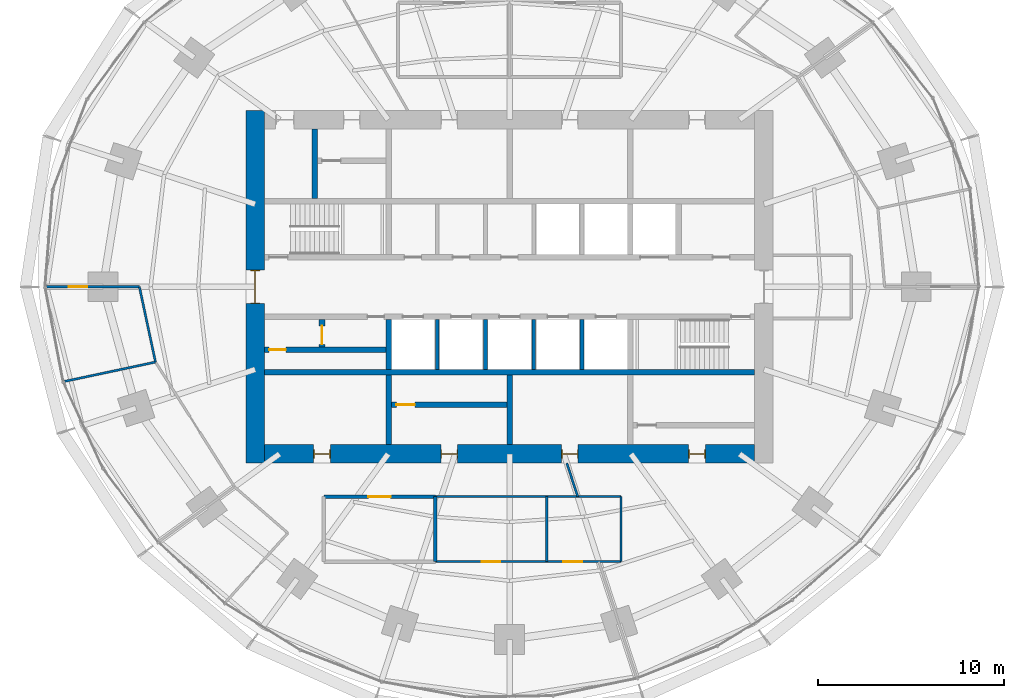
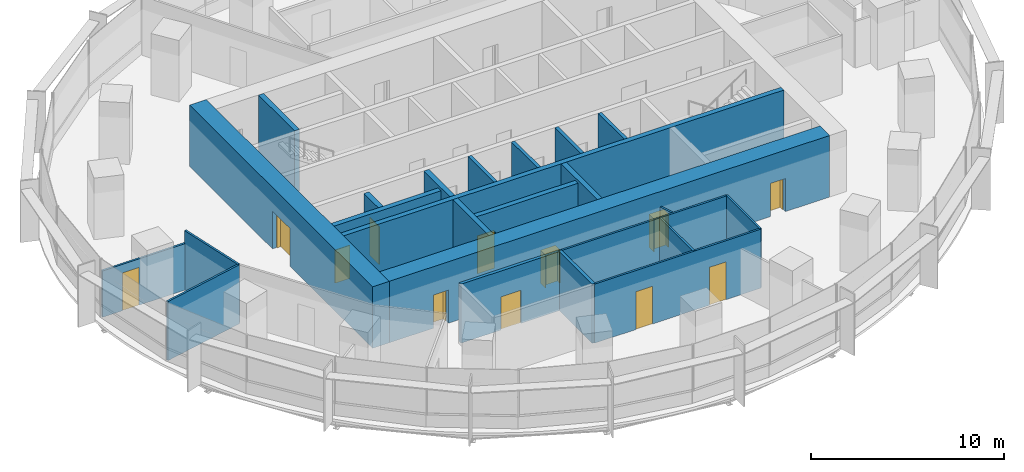
# One storey, part 10 of 14: 24 walls, 12 doors, 12 openings.
"""IFC4 building model written with IfcOpenShell, lengths in metres."""

from ifc_helpers import new_model, si_unit, direction, frame, frame_2d, origin, place, context, subcontext, project, spatial, rectangle, extrude, material, layer, layer_set, type_object, element, fill, save


model = new_model("IFC4")

# Units and contexts
model_context = context("Model", 3, precision=1e-05, world=origin(), true_north=direction((0.0, 1.0)))
body_context = subcontext(model_context, "Body", "Model", "MODEL_VIEW")
ifc_project = project(units=[si_unit("LENGTHUNIT", "METRE"), si_unit("AREAUNIT", "SQUARE_METRE"), si_unit("VOLUMEUNIT", "CUBIC_METRE"), si_unit("PLANEANGLEUNIT", "RADIAN"), si_unit("MASSUNIT", "GRAM", prefix="KILO")], contexts=[model_context])

# Site, building, storey
site_placement = place(None, origin())
site = spatial("IfcSite", under=ifc_project, at=site_placement, CompositionType="ELEMENT")
building_placement = place(site_placement, origin())
building = spatial("IfcBuilding", under=site, at=building_placement, Name="Marramba Exchange Tower", CompositionType="ELEMENT")
storey_placement = place(building_placement, frame((0.0, 0.0, 96.300048828125)))
storey = spatial("IfcBuildingStorey", under=building, at=storey_placement, Name="L22", CompositionType="ELEMENT", Elevation=96.300048828125)

# Walls
ifc_material_1 = material(Name="Concrete N50", Category="concrete")
ifc_layer_1 = layer(ifc_material_1, 0.199951171875)
ifc_layer_set_1 = layer_set([ifc_layer_1], Name="Core shaft wall 200")
wall_type_1 = type_object("IfcWallType", Name="Core shaft wall 200", PredefinedType="SHEAR", material=ifc_layer_set_1)
for number, where, z_axis, x_axis, name in (
    (1, (-3.89990234375, -1.75, 0.0), (0.0, 0.0, 1.0), (0.0, -1.0, 0.0), "Core wall SHS1 L22"),
    (2, (-1.300048828125, -1.75, 0.0), (0.0, 0.0, 1.0), (0.0, -1.0, 0.0), "Core wall SHS2 L22"),
    (3, (1.300048828125, -1.75, 0.0), (0.0, 0.0, 1.0), (0.0, -1.0, 0.0), "Core wall SHS3 L22"),
    (4, (3.89990234375, -1.75, 0.0), (0.0, 0.0, 1.0), (0.0, -1.0, 0.0), "Core wall SHS4 L22"),
):
    element("IfcWall", number, at=place(storey_placement, frame(where, z_axis=z_axis, x_axis=x_axis)), inside=storey, type_object=wall_type_1, Name=name, PredefinedType="SHEAR", context=body_context, shape_type="SweptSolid", body=[
        extrude(rectangle(XDim=2.699951171875, YDim=0.199951171875, at=frame_2d((1.35009765625, 0.0))), origin(), (0.0, 0.0, 1.0), 3.89990234375),
    ])

# Wall, openings, doors
ifc_layer_2 = layer(ifc_material_1, 1.0)
ifc_layer_set_2 = layer_set([ifc_layer_2], Name="Core wall 1000")
wall_type_2 = type_object("IfcWallType", Name="Core wall 1000", PredefinedType="SHEAR", material=ifc_layer_set_2)
wall_1_placement = place(storey_placement, frame((-13.199951171875, -9.0, 0.0), z_axis=(0.0, 0.0, 1.0), x_axis=(1.0, 0.0, 0.0)))
wall_1 = element("IfcWall", 5, at=wall_1_placement, inside=storey, type_object=wall_type_2, Name="Core wall S L22", PredefinedType="SHEAR", context=body_context, shape_type="SweptSolid", body=[
    extrude(rectangle(XDim=26.39990234375, YDim=1.0, at=frame_2d((13.199951171875, 0.0))), origin(), (0.0, 0.0, 1.0), 3.89990234375),
])
opening_1_placement = place(wall_1_placement, frame((2.64990234375, 0.0, 0.0)))
opening_1 = element("IfcOpeningElement", 6, at=opening_1_placement, cuts=wall_1, Name="Opening D5", PredefinedType="OPENING", context=body_context, shape_type="SweptSolid", body=[
    extrude(rectangle(XDim=0.89990234375, YDim=2.10009765625, at=frame_2d((0.449951171875, 1.050048828125))), frame((0.0, 0.510009765625, 0.0), z_axis=(0.0, -1.0, 0.0), x_axis=(1.0, 0.0, 0.0)), (0.0, 0.0, 1.0), 1.02001953125),
])
opening_2_placement = place(wall_1_placement, frame((9.5, 0.0, 0.0)))
opening_2 = element("IfcOpeningElement", 7, at=opening_2_placement, cuts=wall_1, Name="Opening D5", PredefinedType="OPENING", context=body_context, shape_type="SweptSolid", body=[
    extrude(rectangle(XDim=0.89990234375, YDim=2.10009765625, at=frame_2d((0.449951171875, 1.050048828125))), frame((0.0, 0.510009765625, 0.0), z_axis=(0.0, -1.0, 0.0), x_axis=(1.0, 0.0, 0.0)), (0.0, 0.0, 1.0), 1.02001953125),
])
opening_3_placement = place(wall_1_placement, frame((16.0, 0.0, 0.0)))
opening_3 = element("IfcOpeningElement", 8, at=opening_3_placement, cuts=wall_1, Name="Opening D5", PredefinedType="OPENING", context=body_context, shape_type="SweptSolid", body=[
    extrude(rectangle(XDim=0.89990234375, YDim=2.10009765625, at=frame_2d((0.449951171875, 1.050048828125))), frame((0.0, 0.510009765625, 0.0), z_axis=(0.0, -1.0, 0.0), x_axis=(1.0, 0.0, 0.0)), (0.0, 0.0, 1.0), 1.02001953125),
])
opening_4_placement = place(wall_1_placement, frame((22.85009765625, 0.0, 0.0)))
opening_4 = element("IfcOpeningElement", 9, at=opening_4_placement, cuts=wall_1, Name="Opening D5", PredefinedType="OPENING", context=body_context, shape_type="SweptSolid", body=[
    extrude(rectangle(XDim=0.89990234375, YDim=2.10009765625, at=frame_2d((0.449951171875, 1.050048828125))), frame((0.0, 0.510009765625, 0.0), z_axis=(0.0, -1.0, 0.0), x_axis=(1.0, 0.0, 0.0)), (0.0, 0.0, 1.0), 1.02001953125),
])
ifc_material_2 = material(Name="Steel-framed door", Category="steel")
door_type_1 = type_object("IfcDoorType", Name="Service door 900x2100", OperationType="SINGLE_SWING_LEFT", PredefinedType="DOOR", material=ifc_material_2)
door_1_placement = place(opening_1_placement, origin())
door_1 = element("IfcDoor", 10, at=door_1_placement, inside=storey, type_object=door_type_1, Name="D5 ahu L22", OperationType="SINGLE_SWING_LEFT", OverallHeight=2.10009765625, OverallWidth=0.89990234375, PredefinedType="DOOR", context=body_context, shape_type="SweptSolid", body=[
    extrude(rectangle(XDim=0.81982421875, YDim=2.06005859375, at=frame_2d((0.449951171875, 1.030029296875))), frame((0.0, 0.02490234375, 0.0), z_axis=(0.0, -1.0, 0.0), x_axis=(1.0, 0.0, 0.0)), (0.0, 0.0, 1.0), 0.050048828125),
    extrude(rectangle(XDim=0.04, YDim=2.10009765625, at=frame_2d((0.02001953125, 1.050048828125))), frame((0.0, 0.25, 0.0), z_axis=(0.0, -1.0, 0.0), x_axis=(1.0, 0.0, 0.0)), (0.0, 0.0, 1.0), 0.5),
    extrude(rectangle(XDim=0.04, YDim=2.10009765625, at=frame_2d((0.8798828125, 1.050048828125))), frame((0.0, 0.25, 0.0), z_axis=(0.0, -1.0, 0.0), x_axis=(1.0, 0.0, 0.0)), (0.0, 0.0, 1.0), 0.5),
    extrude(rectangle(XDim=0.81982421875, YDim=0.04, at=frame_2d((0.449951171875, 2.080078125))), frame((0.0, 0.25, 0.0), z_axis=(0.0, -1.0, 0.0), x_axis=(1.0, 0.0, 0.0)), (0.0, 0.0, 1.0), 0.5),
])
fill(opening_1, door_1)
door_2_placement = place(opening_2_placement, origin())
door_2 = element("IfcDoor", 11, at=door_2_placement, inside=storey, type_object=door_type_1, Name="D5 store L22", OperationType="SINGLE_SWING_RIGHT", OverallHeight=2.10009765625, OverallWidth=0.89990234375, PredefinedType="DOOR", context=body_context, shape_type="SweptSolid", body=[
    extrude(rectangle(XDim=0.81982421875, YDim=2.06005859375, at=frame_2d((0.449951171875, 1.030029296875))), frame((0.0, 0.02490234375, 0.0), z_axis=(0.0, -1.0, 0.0), x_axis=(1.0, 0.0, 0.0)), (0.0, 0.0, 1.0), 0.050048828125),
    extrude(rectangle(XDim=0.04, YDim=2.10009765625, at=frame_2d((0.02001953125, 1.050048828125))), frame((0.0, 0.25, 0.0), z_axis=(0.0, -1.0, 0.0), x_axis=(1.0, 0.0, 0.0)), (0.0, 0.0, 1.0), 0.5),
    extrude(rectangle(XDim=0.04, YDim=2.10009765625, at=frame_2d((0.8798828125, 1.050048828125))), frame((0.0, 0.25, 0.0), z_axis=(0.0, -1.0, 0.0), x_axis=(1.0, 0.0, 0.0)), (0.0, 0.0, 1.0), 0.5),
    extrude(rectangle(XDim=0.81982421875, YDim=0.04, at=frame_2d((0.449951171875, 2.080078125))), frame((0.0, 0.25, 0.0), z_axis=(0.0, -1.0, 0.0), x_axis=(1.0, 0.0, 0.0)), (0.0, 0.0, 1.0), 0.5),
])
fill(opening_2, door_2)
door_3_placement = place(opening_3_placement, origin())
door_3 = element("IfcDoor", 12, at=door_3_placement, inside=storey, type_object=door_type_1, Name="D5 switch L22", OperationType="SINGLE_SWING_RIGHT", OverallHeight=2.10009765625, OverallWidth=0.89990234375, PredefinedType="DOOR", context=body_context, shape_type="SweptSolid", body=[
    extrude(rectangle(XDim=0.81982421875, YDim=2.06005859375, at=frame_2d((0.449951171875, 1.030029296875))), frame((0.0, 0.02490234375, 0.0), z_axis=(0.0, -1.0, 0.0), x_axis=(1.0, 0.0, 0.0)), (0.0, 0.0, 1.0), 0.050048828125),
    extrude(rectangle(XDim=0.04, YDim=2.10009765625, at=frame_2d((0.02001953125, 1.050048828125))), frame((0.0, 0.25, 0.0), z_axis=(0.0, -1.0, 0.0), x_axis=(1.0, 0.0, 0.0)), (0.0, 0.0, 1.0), 0.5),
    extrude(rectangle(XDim=0.04, YDim=2.10009765625, at=frame_2d((0.8798828125, 1.050048828125))), frame((0.0, 0.25, 0.0), z_axis=(0.0, -1.0, 0.0), x_axis=(1.0, 0.0, 0.0)), (0.0, 0.0, 1.0), 0.5),
    extrude(rectangle(XDim=0.81982421875, YDim=0.04, at=frame_2d((0.449951171875, 2.080078125))), frame((0.0, 0.25, 0.0), z_axis=(0.0, -1.0, 0.0), x_axis=(1.0, 0.0, 0.0)), (0.0, 0.0, 1.0), 0.5),
])
fill(opening_3, door_3)
door_4_placement = place(opening_4_placement, origin())
door_4 = element("IfcDoor", 13, at=door_4_placement, inside=storey, type_object=door_type_1, Name="D5 cstore L22", OperationType="SINGLE_SWING_RIGHT", OverallHeight=2.10009765625, OverallWidth=0.89990234375, PredefinedType="DOOR", context=body_context, shape_type="SweptSolid", body=[
    extrude(rectangle(XDim=0.81982421875, YDim=2.06005859375, at=frame_2d((0.449951171875, 1.030029296875))), frame((0.0, 0.02490234375, 0.0), z_axis=(0.0, -1.0, 0.0), x_axis=(1.0, 0.0, 0.0)), (0.0, 0.0, 1.0), 0.050048828125),
    extrude(rectangle(XDim=0.04, YDim=2.10009765625, at=frame_2d((0.02001953125, 1.050048828125))), frame((0.0, 0.25, 0.0), z_axis=(0.0, -1.0, 0.0), x_axis=(1.0, 0.0, 0.0)), (0.0, 0.0, 1.0), 0.5),
    extrude(rectangle(XDim=0.04, YDim=2.10009765625, at=frame_2d((0.8798828125, 1.050048828125))), frame((0.0, 0.25, 0.0), z_axis=(0.0, -1.0, 0.0), x_axis=(1.0, 0.0, 0.0)), (0.0, 0.0, 1.0), 0.5),
    extrude(rectangle(XDim=0.81982421875, YDim=0.04, at=frame_2d((0.449951171875, 2.080078125))), frame((0.0, 0.25, 0.0), z_axis=(0.0, -1.0, 0.0), x_axis=(1.0, 0.0, 0.0)), (0.0, 0.0, 1.0), 0.5),
])
fill(opening_4, door_4)

# Wall, opening, door
wall_2_placement = place(storey_placement, frame((-13.699951171875, 9.5, 0.0), z_axis=(0.0, 0.0, 1.0), x_axis=(0.0, -1.0, 0.0)))
wall_2 = element("IfcWall", 14, at=wall_2_placement, inside=storey, type_object=wall_type_2, Name="Core wall W L22", PredefinedType="SHEAR", context=body_context, shape_type="SweptSolid", body=[
    extrude(rectangle(XDim=19.0, YDim=1.0, at=frame_2d((9.5, 0.0))), origin(), (0.0, 0.0, 1.0), 3.89990234375),
])
opening_5_placement = place(wall_2_placement, frame((8.60009765625, 0.0, 0.0)))
opening_5 = element("IfcOpeningElement", 15, at=opening_5_placement, cuts=wall_2, Name="Opening D1", PredefinedType="OPENING", context=body_context, shape_type="SweptSolid", body=[
    extrude(rectangle(XDim=1.800048828125, YDim=2.39990234375, at=frame_2d((0.89990234375, 1.199951171875))), frame((0.0, 0.510009765625, 0.0), z_axis=(0.0, -1.0, 0.0), x_axis=(1.0, 0.0, 0.0)), (0.0, 0.0, 1.0), 1.02001953125),
])
door_type_2 = type_object("IfcDoorType", Name="Lobby exit door 1800x2400", OperationType="DOUBLE_DOOR_SINGLE_SWING", PredefinedType="DOOR", material=ifc_material_2)
door_5_placement = place(opening_5_placement, origin())
door_5 = element("IfcDoor", 16, at=door_5_placement, inside=storey, type_object=door_type_2, Name="D1 lobby exit west L22", OperationType="DOUBLE_DOOR_SINGLE_SWING", OverallHeight=2.39990234375, OverallWidth=1.800048828125, PredefinedType="DOOR", context=body_context, shape_type="SweptSolid", body=[
    extrude(rectangle(XDim=1.719970703125, YDim=2.35986328125, at=frame_2d((0.89990234375, 1.179931640625))), frame((0.0, 0.02490234375, 0.0), z_axis=(0.0, -1.0, 0.0), x_axis=(1.0, 0.0, 0.0)), (0.0, 0.0, 1.0), 0.050048828125),
    extrude(rectangle(XDim=0.04, YDim=2.39990234375, at=frame_2d((0.02001953125, 1.199951171875))), frame((0.0, 0.25, 0.0), z_axis=(0.0, -1.0, 0.0), x_axis=(1.0, 0.0, 0.0)), (0.0, 0.0, 1.0), 0.5),
    extrude(rectangle(XDim=0.04, YDim=2.39990234375, at=frame_2d((1.780029296875, 1.199951171875))), frame((0.0, 0.25, 0.0), z_axis=(0.0, -1.0, 0.0), x_axis=(1.0, 0.0, 0.0)), (0.0, 0.0, 1.0), 0.5),
    extrude(rectangle(XDim=1.719970703125, YDim=0.04, at=frame_2d((0.89990234375, 2.3798828125))), frame((0.0, 0.25, 0.0), z_axis=(0.0, -1.0, 0.0), x_axis=(1.0, 0.0, 0.0)), (0.0, 0.0, 1.0), 0.5),
])
fill(opening_5, door_5)

# Walls
ifc_layer_3 = layer(ifc_material_1, 0.300048828125)
ifc_layer_set_3 = layer_set([ifc_layer_3], Name="Core wall 300")
wall_type_3 = type_object("IfcWallType", Name="Core wall 300", PredefinedType="SHEAR", material=ifc_layer_set_3)
wall_3_placement = place(storey_placement, frame((-13.199951171875, -4.60009765625, 0.0), z_axis=(0.0, 0.0, 1.0), x_axis=(1.0, 0.0, 0.0)))
element("IfcWall", 17, at=wall_3_placement, inside=storey, type_object=wall_type_3, Name="Core wall BS L22", PredefinedType="SHEAR", context=body_context, shape_type="SweptSolid", body=[
    extrude(rectangle(XDim=26.39990234375, YDim=0.300048828125, at=frame_2d((13.199951171875, 0.0))), origin(), (0.0, 0.0, 1.0), 3.89990234375),
])
wall_4_placement = place(storey_placement, frame((-6.5, -1.75, 0.0), z_axis=(0.0, 0.0, 1.0), x_axis=(0.0, -1.0, 0.0)))
element("IfcWall", 18, at=wall_4_placement, inside=storey, type_object=wall_type_3, Name="Core wall X0Sa L22", PredefinedType="SHEAR", context=body_context, shape_type="SweptSolid", body=[
    extrude(rectangle(XDim=2.699951171875, YDim=0.300048828125, at=frame_2d((1.35009765625, 0.0))), origin(), (0.0, 0.0, 1.0), 3.89990234375),
])
for number, where, z_axis, x_axis, name in (
    (19, (-6.5, -4.75, 0.0), (0.0, 0.0, 1.0), (0.0, -1.0, 0.0), "Core wall X0Sb L22"),
    (20, (0.0, -4.75, 0.0), (0.0, 0.0, 1.0), (0.0, -1.0, 0.0), "Core wall MS L22"),
    (21, (-10.5, 4.75, 0.0), (0.0, 0.0, 1.0), (0.0, 1.0, 0.0), "Core wall WD L22"),
):
    element("IfcWall", number, at=place(storey_placement, frame(where, z_axis=z_axis, x_axis=x_axis)), inside=storey, type_object=wall_type_3, Name=name, PredefinedType="SHEAR", context=body_context, shape_type="SweptSolid", body=[
        extrude(rectangle(XDim=3.75, YDim=0.300048828125, at=frame_2d((1.875, 0.0))), origin(), (0.0, 0.0, 1.0), 3.89990234375),
    ])

# Wall, opening, door
ifc_material_3 = material(Name="Core-filled concrete blockwork, rendered", Category="masonry")
ifc_layer_4 = layer(ifc_material_3, 0.18994140625)
ifc_layer_set_4 = layer_set([ifc_layer_4], Name="Equipment room wall 190")
wall_type_4 = type_object("IfcWallType", Name="Equipment room wall 190", PredefinedType="SOLIDWALL", material=ifc_layer_set_4)
wall_5_placement = place(storey_placement, frame((-4.0, -11.300048828125, 0.0), z_axis=(0.0, 0.0, 1.0), x_axis=(-1.0, 0.0, 0.0)))
wall_5 = element("IfcWall", 22, at=wall_5_placement, inside=storey, type_object=wall_type_4, Name="Equipment room wall L22 08", PredefinedType="SOLIDWALL", context=body_context, shape_type="SweptSolid", body=[
    extrude(rectangle(XDim=6.0, YDim=0.18994140625, at=frame_2d((3.0, 0.0))), origin(), (0.0, 0.0, 1.0), 3.739990234375),
])
opening_6_placement = place(wall_5_placement, frame((2.39990234375, 0.0, 0.0)))
opening_6 = element("IfcOpeningElement", 23, at=opening_6_placement, cuts=wall_5, Name="Opening D16", PredefinedType="OPENING", context=body_context, shape_type="SweptSolid", body=[
    extrude(rectangle(XDim=1.199951171875, YDim=2.10009765625, at=frame_2d((0.60009765625, 1.050048828125))), frame((0.0, 0.10498046875, 0.0), z_axis=(0.0, -1.0, 0.0), x_axis=(1.0, 0.0, 0.0)), (0.0, 0.0, 1.0), 0.2099609375),
])
door_type_3 = type_object("IfcDoorType", Name="Equipment room door 1200x2100", OperationType="SINGLE_SWING_LEFT", PredefinedType="DOOR", material=ifc_material_2)
door_6_placement = place(opening_6_placement, origin())
door_6 = element("IfcDoor", 24, at=door_6_placement, inside=storey, type_object=door_type_3, Name="D16 Records Store L22", OperationType="SINGLE_SWING_RIGHT", OverallHeight=2.10009765625, OverallWidth=1.199951171875, PredefinedType="DOOR", context=body_context, shape_type="SweptSolid", body=[
    extrude(rectangle(XDim=1.199951171875, YDim=2.10009765625, at=frame_2d((0.60009765625, 1.050048828125))), frame((0.0, 0.02490234375, 0.0), z_axis=(0.0, -1.0, 0.0), x_axis=(1.0, 0.0, 0.0)), (0.0, 0.0, 1.0), 0.050048828125),
])
fill(opening_6, door_6)

# Walls
wall_6_placement = place(storey_placement, frame((-4.0, -11.300048828125, 0.0), z_axis=(0.0, 0.0, 1.0), x_axis=(0.0, -1.0, 0.0)))
element("IfcWall", 25, at=wall_6_placement, inside=storey, type_object=wall_type_4, Name="Equipment room wall L22 10", PredefinedType="SOLIDWALL", context=body_context, shape_type="SweptSolid", body=[
    extrude(rectangle(XDim=3.5, YDim=0.18994140625, at=frame_2d((1.75, 0.0))), origin(), (0.0, 0.0, 1.0), 3.739990234375),
])
ifc_material_4 = material(Name="Plasterboard on steel studs", Category="steel")
ifc_layer_5 = layer(ifc_material_4, 0.1201171875)
ifc_layer_set_5 = layer_set([ifc_layer_5], Name="Partition 120")
wall_type_5 = type_object("IfcWallType", Name="Partition 120", PredefinedType="PARTITIONING", material=ifc_layer_set_5)
wall_7_placement = place(storey_placement, frame((-19.069580078125, -4.053466796875, 0.0), z_axis=(0.0, 0.0, 1.0), x_axis=(-0.209484846429, 0.977811893524, 0.0)))
element("IfcWall", 26, at=wall_7_placement, inside=storey, type_object=wall_type_5, Name="Partition L22 01", PredefinedType="PARTITIONING", context=body_context, shape_type="SweptSolid", body=[
    extrude(rectangle(XDim=4.1455078125, YDim=0.1201171875, at=frame_2d((2.07275390625, 0.0))), origin(), (0.0, 0.0, 1.0), 3.739990234375),
])
wall_8_placement = place(storey_placement, frame((-19.069580078125, -4.053466796875, 0.0), z_axis=(0.0, 0.0, 1.0), x_axis=(-0.978149046495, -0.207904888932, 0.0)))
element("IfcWall", 27, at=wall_8_placement, inside=storey, type_object=wall_type_5, Name="Partition L22 02", PredefinedType="PARTITIONING", context=body_context, shape_type="SweptSolid", body=[
    extrude(rectangle(XDim=5.000244140625, YDim=0.1201171875, at=frame_2d((2.5, 0.0))), origin(), (0.0, 0.0, 1.0), 3.739990234375),
])

# Wall, openings, doors
wall_9_placement = place(storey_placement, frame((-4.0, -14.800048828125, 0.0), z_axis=(0.0, 0.0, 1.0), x_axis=(1.0, 0.0, 0.0)))
wall_9 = element("IfcWall", 28, at=wall_9_placement, inside=storey, type_object=wall_type_5, Name="Partition L22 11", PredefinedType="PARTITIONING", context=body_context, shape_type="SweptSolid", body=[
    extrude(rectangle(XDim=10.0, YDim=0.1201171875, at=frame_2d((5.0, 0.0))), origin(), (0.0, 0.0, 1.0), 3.739990234375),
])
opening_7_placement = place(wall_9_placement, frame((2.5, 0.0, 0.0)))
opening_7 = element("IfcOpeningElement", 29, at=opening_7_placement, cuts=wall_9, Name="Opening D9", PredefinedType="OPENING", context=body_context, shape_type="SweptSolid", body=[
    extrude(rectangle(XDim=1.0, YDim=2.39990234375, at=frame_2d((0.5, 1.199951171875))), frame((0.0, 0.070068359375, 0.0), z_axis=(0.0, -1.0, 0.0), x_axis=(1.0, 0.0, 0.0)), (0.0, 0.0, 1.0), 0.14013671875),
])
opening_8_placement = place(wall_9_placement, frame((6.904052734375, 0.0, 0.0)))
opening_8 = element("IfcOpeningElement", 30, at=opening_8_placement, cuts=wall_9, Name="Opening D9", PredefinedType="OPENING", context=body_context, shape_type="SweptSolid", body=[
    extrude(rectangle(XDim=1.0, YDim=2.39990234375, at=frame_2d((0.5, 1.199951171875))), frame((0.0, 0.070068359375, 0.0), z_axis=(0.0, -1.0, 0.0), x_axis=(1.0, 0.0, 0.0)), (0.0, 0.0, 1.0), 0.14013671875),
])
ifc_material_5 = material(Name="Timber door", Category="wood")
door_type_4 = type_object("IfcDoorType", Name="Room door 1000x2400", OperationType="SINGLE_SWING_LEFT", PredefinedType="DOOR", material=ifc_material_5)
door_7_placement = place(opening_7_placement, origin())
door_7 = element("IfcDoor", 31, at=door_7_placement, inside=storey, type_object=door_type_4, Name="D9 Pantry L22", OperationType="SINGLE_SWING_RIGHT", OverallHeight=2.39990234375, OverallWidth=1.0, PredefinedType="DOOR", context=body_context, shape_type="SweptSolid", body=[
    extrude(rectangle(XDim=1.0, YDim=2.39990234375, at=frame_2d((0.5, 1.199951171875))), frame((0.0, 0.02490234375, 0.0), z_axis=(0.0, -1.0, 0.0), x_axis=(1.0, 0.0, 0.0)), (0.0, 0.0, 1.0), 0.050048828125),
])
fill(opening_7, door_7)
door_8_placement = place(opening_8_placement, origin())
door_8 = element("IfcDoor", 32, at=door_8_placement, inside=storey, type_object=door_type_4, Name="D9 Print Room L22", OperationType="SINGLE_SWING_LEFT", OverallHeight=2.39990234375, OverallWidth=1.0, PredefinedType="DOOR", context=body_context, shape_type="SweptSolid", body=[
    extrude(rectangle(XDim=1.0, YDim=2.39990234375, at=frame_2d((0.5, 1.199951171875))), frame((0.0, 0.02490234375, 0.0), z_axis=(0.0, -1.0, 0.0), x_axis=(1.0, 0.0, 0.0)), (0.0, 0.0, 1.0), 0.050048828125),
])
fill(opening_8, door_8)

# Walls
wall_10_placement = place(storey_placement, frame((6.0, -11.300048828125, 0.0), z_axis=(0.0, 0.0, 1.0), x_axis=(-1.0, 0.0, 0.0)))
element("IfcWall", 33, at=wall_10_placement, inside=storey, type_object=wall_type_5, Name="Partition L22 12", PredefinedType="PARTITIONING", context=body_context, shape_type="SweptSolid", body=[
    extrude(rectangle(XDim=10.0, YDim=0.1201171875, at=frame_2d((5.0, 0.0))), origin(), (0.0, 0.0, 1.0), 3.739990234375),
])
wall_11_placement = place(storey_placement, frame((2.0, -11.300048828125, 0.0), z_axis=(0.0, 0.0, 1.0), x_axis=(0.0, -1.0, 0.0)))
element("IfcWall", 34, at=wall_11_placement, inside=storey, type_object=wall_type_5, Name="Partition L22 13", PredefinedType="PARTITIONING", context=body_context, shape_type="SweptSolid", body=[
    extrude(rectangle(XDim=3.5, YDim=0.1201171875, at=frame_2d((1.75, 0.0))), origin(), (0.0, 0.0, 1.0), 3.739990234375),
])
wall_12_placement = place(storey_placement, frame((3.671630859375, -11.300048828125, 0.0), z_axis=(0.0, 0.0, 1.0), x_axis=(-0.309059822154, 0.95104259964, 0.0)))
element("IfcWall", 35, at=wall_12_placement, inside=storey, type_object=wall_type_5, Name="Partition L22 14", PredefinedType="PARTITIONING", context=body_context, shape_type="SweptSolid", body=[
    extrude(rectangle(XDim=1.892822265625, YDim=0.1201171875, at=frame_2d((0.9462890625, 0.0))), origin(), (0.0, 0.0, 1.0), 2.93994140625),
])
wall_13_placement = place(storey_placement, frame((6.0, -14.800048828125, 0.0), z_axis=(0.0, 0.0, 1.0), x_axis=(0.0, 1.0, 0.0)))
element("IfcWall", 36, at=wall_13_placement, inside=storey, type_object=wall_type_5, Name="Partition L22 16", PredefinedType="PARTITIONING", context=body_context, shape_type="SweptSolid", body=[
    extrude(rectangle(XDim=3.5, YDim=0.1201171875, at=frame_2d((1.75, 0.0))), origin(), (0.0, 0.0, 1.0), 3.739990234375),
])

# Wall, opening, door
wall_14_placement = place(storey_placement, frame((-19.93798828125, 0.0, 0.0), z_axis=(0.0, 0.0, 1.0), x_axis=(-1.0, 0.0, 0.0)))
wall_14 = element("IfcWall", 37, at=wall_14_placement, inside=storey, type_object=wall_type_5, Name="Partition L22 33", PredefinedType="PARTITIONING", context=body_context, shape_type="SweptSolid", body=[
    extrude(rectangle(XDim=5.0, YDim=0.1201171875, at=frame_2d((2.5, 0.0))), origin(), (0.0, 0.0, 1.0), 2.93994140625),
])
opening_9_placement = place(wall_14_placement, frame((2.800048828125, 0.0, 0.0)))
opening_9 = element("IfcOpeningElement", 38, at=opening_9_placement, cuts=wall_14, Name="Opening D9", PredefinedType="OPENING", context=body_context, shape_type="SweptSolid", body=[
    extrude(rectangle(XDim=1.0, YDim=2.39990234375, at=frame_2d((0.5, 1.199951171875))), frame((0.0, 0.070068359375, 0.0), z_axis=(0.0, -1.0, 0.0), x_axis=(1.0, 0.0, 0.0)), (0.0, 0.0, 1.0), 0.14013671875),
])
door_9_placement = place(opening_9_placement, origin())
door_9 = element("IfcDoor", 39, at=door_9_placement, inside=storey, type_object=door_type_4, Name="D9 Compliance Office 4 L22", OperationType="SINGLE_SWING_RIGHT", OverallHeight=2.39990234375, OverallWidth=1.0, PredefinedType="DOOR", context=body_context, shape_type="SweptSolid", body=[
    extrude(rectangle(XDim=1.0, YDim=2.39990234375, at=frame_2d((0.5, 1.199951171875))), frame((0.0, 0.02490234375, 0.0), z_axis=(0.0, -1.0, 0.0), x_axis=(1.0, 0.0, 0.0)), (0.0, 0.0, 1.0), 0.050048828125),
])
fill(opening_9, door_9)

ifc_material_6 = material(Name="Core-filled concrete blockwork", Category="masonry")
ifc_layer_6 = layer(ifc_material_6, 0.300048828125)
ifc_layer_set_6 = layer_set([ifc_layer_6], Name="Riser enclosure wall 300")
wall_type_6 = type_object("IfcWallType", Name="Riser enclosure wall 300", PredefinedType="SOLIDWALL", material=ifc_layer_set_6)
wall_15_placement = place(storey_placement, frame((-13.199951171875, -3.39990234375, 0.0), z_axis=(0.0, 0.0, 1.0), x_axis=(1.0, 0.0, 0.0)))
wall_15 = element("IfcWall", 40, at=wall_15_placement, inside=storey, type_object=wall_type_6, Name="Riser enclosure wall L22", PredefinedType="SOLIDWALL", context=body_context, shape_type="SweptSolid", body=[
    extrude(rectangle(XDim=6.550048828125, YDim=0.300048828125, at=frame_2d((3.27490234375, 0.0))), origin(), (0.0, 0.0, 1.0), 3.739990234375),
])
opening_10_placement = place(wall_15_placement, frame((0.25, 0.0, 0.0)))
opening_10 = element("IfcOpeningElement", 41, at=opening_10_placement, cuts=wall_15, Name="Opening D5", PredefinedType="OPENING", context=body_context, shape_type="SweptSolid", body=[
    extrude(rectangle(XDim=0.89990234375, YDim=2.10009765625, at=frame_2d((0.449951171875, 1.050048828125))), frame((0.0, 0.159912109375, 0.0), z_axis=(0.0, -1.0, 0.0), x_axis=(1.0, 0.0, 0.0)), (0.0, 0.0, 1.0), 0.320068359375),
])
door_10_placement = place(opening_10_placement, origin())
door_10 = element("IfcDoor", 42, at=door_10_placement, inside=storey, type_object=door_type_1, Name="D5 electrical riser back L22", OperationType="SINGLE_SWING_LEFT", OverallHeight=2.10009765625, OverallWidth=0.89990234375, PredefinedType="DOOR", context=body_context, shape_type="SweptSolid", body=[
    extrude(rectangle(XDim=0.89990234375, YDim=2.10009765625, at=frame_2d((0.449951171875, 1.050048828125))), frame((0.0, 0.02490234375, 0.0), z_axis=(0.0, -1.0, 0.0), x_axis=(1.0, 0.0, 0.0)), (0.0, 0.0, 1.0), 0.050048828125),
])
fill(opening_10, door_10)

ifc_material_7 = material(Name="Plasterboard on steel studs, insulated, unrated", Category="steel")
ifc_layer_7 = layer(ifc_material_7, 0.300048828125)
ifc_layer_set_7 = layer_set([ifc_layer_7], Name="Store partition 300")
wall_type_7 = type_object("IfcWallType", Name="Store partition 300", PredefinedType="PARTITIONING", material=ifc_layer_set_7)
wall_16_placement = place(storey_placement, frame((-6.35009765625, -6.360107421875, 0.0), z_axis=(0.0, 0.0, 1.0), x_axis=(1.0, 0.0, 0.0)))
wall_16 = element("IfcWall", 43, at=wall_16_placement, inside=storey, type_object=wall_type_7, Name="Store partition L22 store", PredefinedType="PARTITIONING", context=body_context, shape_type="SweptSolid", body=[
    extrude(rectangle(XDim=6.2001953125, YDim=0.300048828125, at=frame_2d((3.10009765625, 0.0))), origin(), (0.0, 0.0, 1.0), 3.739990234375),
])
opening_11_placement = place(wall_16_placement, frame((0.25, 0.0, 0.0)))
opening_11 = element("IfcOpeningElement", 44, at=opening_11_placement, cuts=wall_16, Name="Opening D9", PredefinedType="OPENING", context=body_context, shape_type="SweptSolid", body=[
    extrude(rectangle(XDim=1.0, YDim=2.39990234375, at=frame_2d((0.5, 1.199951171875))), frame((0.0, 0.159912109375, 0.0), z_axis=(0.0, -1.0, 0.0), x_axis=(1.0, 0.0, 0.0)), (0.0, 0.0, 1.0), 0.320068359375),
])
door_11_placement = place(opening_11_placement, origin())
door_11 = element("IfcDoor", 45, at=door_11_placement, inside=storey, type_object=door_type_4, Name="D9 stationery store L22", OperationType="SINGLE_SWING_LEFT", OverallHeight=2.39990234375, OverallWidth=1.0, PredefinedType="DOOR", context=body_context, shape_type="SweptSolid", body=[
    extrude(rectangle(XDim=1.0, YDim=2.39990234375, at=frame_2d((0.5, 1.199951171875))), frame((0.0, 0.02490234375, 0.0), z_axis=(0.0, -1.0, 0.0), x_axis=(1.0, 0.0, 0.0)), (0.0, 0.0, 1.0), 0.050048828125),
])
fill(opening_11, door_11)

wall_17_placement = place(storey_placement, frame((-10.10009765625, -3.25, 0.0), z_axis=(0.0, 0.0, 1.0), x_axis=(0.0, 1.0, 0.0)))
wall_17 = element("IfcWall", 46, at=wall_17_placement, inside=storey, type_object=wall_type_7, Name="Store partition L22 tool store", PredefinedType="PARTITIONING", context=body_context, shape_type="SweptSolid", body=[
    extrude(rectangle(XDim=1.5, YDim=0.300048828125, at=frame_2d((0.75, 0.0))), origin(), (0.0, 0.0, 1.0), 3.739990234375),
])
opening_12_placement = place(wall_17_placement, frame((0.14990234375, 0.0, 0.0)))
opening_12 = element("IfcOpeningElement", 47, at=opening_12_placement, cuts=wall_17, Name="Opening D9", PredefinedType="OPENING", context=body_context, shape_type="SweptSolid", body=[
    extrude(rectangle(XDim=1.0, YDim=2.39990234375, at=frame_2d((0.5, 1.199951171875))), frame((0.0, 0.159912109375, 0.0), z_axis=(0.0, -1.0, 0.0), x_axis=(1.0, 0.0, 0.0)), (0.0, 0.0, 1.0), 0.320068359375),
])
door_12_placement = place(opening_12_placement, origin())
door_12 = element("IfcDoor", 48, at=door_12_placement, inside=storey, type_object=door_type_4, Name="D9 tool store L22", OperationType="SINGLE_SWING_LEFT", OverallHeight=2.39990234375, OverallWidth=1.0, PredefinedType="DOOR", context=body_context, shape_type="SweptSolid", body=[
    extrude(rectangle(XDim=1.0, YDim=2.39990234375, at=frame_2d((0.5, 1.199951171875))), frame((0.0, 0.02490234375, 0.0), z_axis=(0.0, -1.0, 0.0), x_axis=(1.0, 0.0, 0.0)), (0.0, 0.0, 1.0), 0.050048828125),
])
fill(opening_12, door_12)

save(model, "model.ifc")
